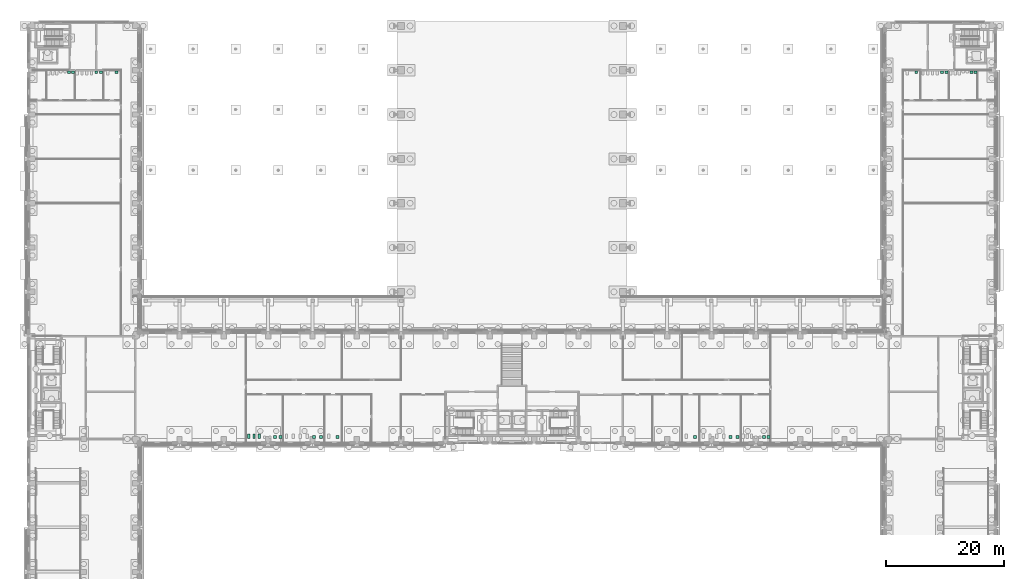
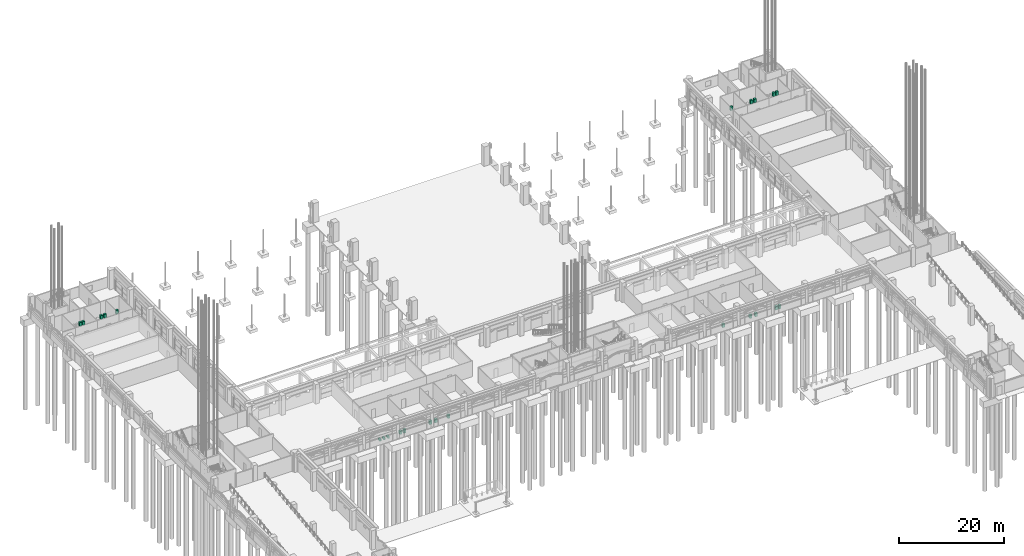
# One storey, part 95 of 99: 23 sanitary terminals.
"""IFC4 building model written with IfcOpenShell, lengths in metres."""

from ifc_helpers import new_model, si_unit, direction, frame, origin, origin_2d, place, context, subcontext, project, spatial, rectangle, extrude, material, type_object, element, save


model = new_model("IFC4")

# Units and contexts
model_context = context("Model", 3, precision=1e-05, world=origin(), true_north=direction((0.0, 1.0)))
body_context = subcontext(model_context, "Body", "Model", "MODEL_VIEW")
ifc_project = project(units=[si_unit("LENGTHUNIT", "METRE"), si_unit("AREAUNIT", "SQUARE_METRE"), si_unit("VOLUMEUNIT", "CUBIC_METRE"), si_unit("PLANEANGLEUNIT", "RADIAN"), si_unit("MASSUNIT", "GRAM", prefix="KILO")], contexts=[model_context])

# Site, building, storey
site_placement = place(None, origin())
site = spatial("IfcSite", under=ifc_project, at=site_placement, CompositionType="ELEMENT")
building_placement = place(site_placement, origin())
building = spatial("IfcBuilding", under=site, at=building_placement, Name="Cour d'Honneur Mobility Palace", CompositionType="ELEMENT")
storey_placement = place(building_placement, origin())
storey = spatial("IfcBuildingStorey", under=building, at=storey_placement, Name="L00", CompositionType="ELEMENT", Elevation=0.0)

# Sanitary terminals
ifc_material_1 = material(Name="Vitreous china")
sanitary_terminal_type_1 = type_object("IfcSanitaryTerminalType", Name="Wash basin", PredefinedType="WASHHANDBASIN", material=ifc_material_1)
for number, where, z_axis, x_axis, name in (
    (1, (41.060791015625, 45.344970703125, 0.0), (0.0, 0.0, 1.0), (1.0, 0.0, 0.0), "Wash basin WC Men"),
    (2, (41.95361328125, 45.344970703125, 0.0), (0.0, 0.0, 1.0), (1.0, 0.0, 0.0), "Wash basin WC Men"),
    (3, (47.64990234375, 45.344970703125, 0.0), (0.0, 0.0, 1.0), (1.0, 0.0, 0.0), "Wash basin WC Women"),
    (4, (48.816650390625, 45.344970703125, 0.0), (0.0, 0.0, 1.0), (1.0, 0.0, 0.0), "Wash basin WC Women"),
    (5, (51.64990234375, 45.344970703125, 0.0), (0.0, 0.0, 1.0), (1.0, 0.0, 0.0), "Wash basin Accessible WC"),
    (6, (112.14990234375, 45.344970703125, 0.0), (0.0, 0.0, 1.0), (1.0, 0.0, 0.0), "Wash basin Accessible WC East"),
    (7, (118.14990234375, 45.344970703125, 0.0), (0.0, 0.0, 1.0), (1.0, 0.0, 0.0), "Wash basin WC Women East"),
    (8, (119.316650390625, 45.344970703125, 0.0), (0.0, 0.0, 1.0), (1.0, 0.0, 0.0), "Wash basin WC Women East"),
    (9, (123.82861328125, 45.344970703125, 0.0), (0.0, 0.0, 1.0), (1.0, 0.0, 0.0), "Wash basin WC Men East"),
    (10, (124.54296875, 45.344970703125, 0.0), (0.0, 0.0, 1.0), (1.0, 0.0, 0.0), "Wash basin WC Men East"),
    (11, (6.17138671875, 107.054931640625, 0.0), (0.0, 0.0, 1.0), (1.0, 0.0, 0.0), "Wash basin WC Men West"),
    (12, (6.857177734375, 107.054931640625, 0.0), (0.0, 0.0, 1.0), (1.0, 0.0, 0.0), "Wash basin WC Men West"),
    (13, (10.800048828125, 107.054931640625, 0.0), (0.0, 0.0, 1.0), (1.0, 0.0, 0.0), "Wash basin WC Women West"),
    (14, (11.60009765625, 107.054931640625, 0.0), (0.0, 0.0, 1.0), (1.0, 0.0, 0.0), "Wash basin WC Women West"),
    (15, (14.25, 107.054931640625, 0.0), (0.0, 0.0, 1.0), (1.0, 0.0, 0.0), "Wash basin Accessible WC West"),
    (16, (158.871337890625, 107.054931640625, 0.0), (0.0, 0.0, 1.0), (1.0, 0.0, 0.0), "Wash basin WC Men East"),
    (17, (159.55712890625, 107.054931640625, 0.0), (0.0, 0.0, 1.0), (1.0, 0.0, 0.0), "Wash basin WC Men East"),
    (18, (153.89990234375, 107.054931640625, 0.0), (0.0, 0.0, 1.0), (1.0, 0.0, 0.0), "Wash basin WC Women East"),
    (19, (154.699951171875, 107.054931640625, 0.0), (0.0, 0.0, 1.0), (1.0, 0.0, 0.0), "Wash basin WC Women East"),
    (20, (149.550048828125, 107.054931640625, 0.0), (0.0, 0.0, 1.0), (1.0, 0.0, 0.0), "Wash basin Accessible WC East"),
):
    element("IfcSanitaryTerminal", number, at=place(storey_placement, frame(where, z_axis=z_axis, x_axis=x_axis)), inside=storey, type_object=sanitary_terminal_type_1, Name=name, PredefinedType="WASHHANDBASIN", context=body_context, shape_type="SweptSolid", body=[
        extrude(rectangle(XDim=0.5, YDim=0.449951171875, at=origin_2d()), origin(), (0.0, 0.0, 1.0), 0.85009765625),
    ])
ifc_material_2 = material(Name="Vitreous china")
sanitary_terminal_type_2 = type_object("IfcSanitaryTerminalType", Name="Water closet", PredefinedType="WCSEAT", material=ifc_material_2)
for number, where, z_axis, x_axis, name in (
    (21, (36.596435546875, 45.469970703125, 0.0), (0.0, 0.0, 1.0), (1.0, 0.0, 0.0), "Water closet WC Men"),
    (22, (37.4892578125, 45.469970703125, 0.0), (0.0, 0.0, 1.0), (1.0, 0.0, 0.0), "Water closet WC Men"),
    (23, (38.382080078125, 45.469970703125, 0.0), (0.0, 0.0, 1.0), (1.0, 0.0, 0.0), "Water closet WC Men"),
):
    element("IfcSanitaryTerminal", number, at=place(storey_placement, frame(where, z_axis=z_axis, x_axis=x_axis)), inside=storey, type_object=sanitary_terminal_type_2, Name=name, PredefinedType="WCSEAT", context=body_context, shape_type="SweptSolid", body=[
        extrude(rectangle(XDim=0.39990234375, YDim=0.699951171875, at=origin_2d()), origin(), (0.0, 0.0, 1.0), 0.39990234375),
    ])

save(model, "model.ifc")
